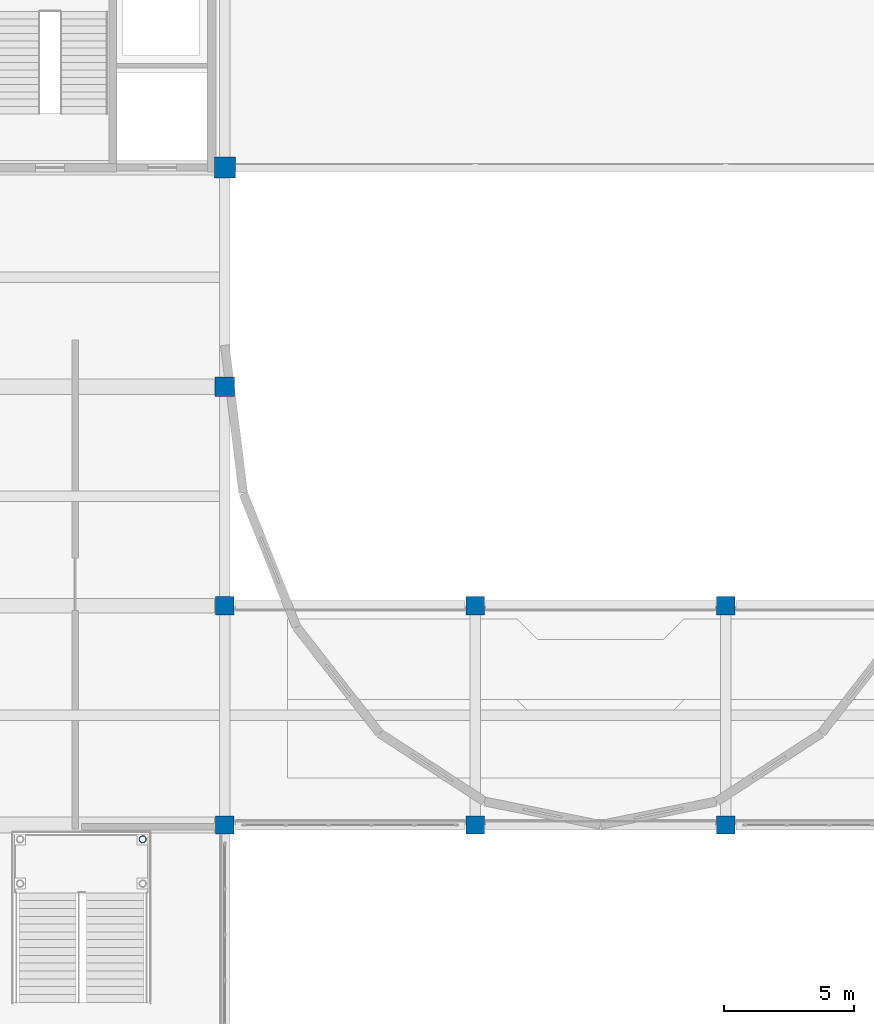
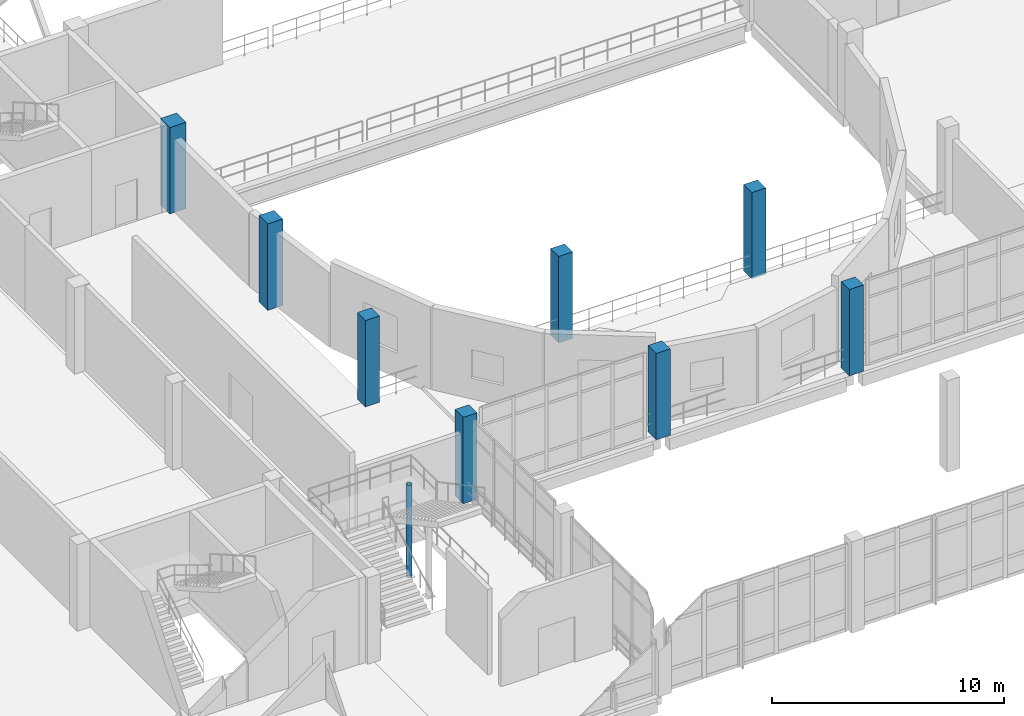
# One storey, part 7 of 102: 9 columns.
"""IFC4 building model written with IfcOpenShell, lengths in metres."""

from ifc_helpers import new_model, si_unit, direction, frame, origin, origin_2d, place, context, subcontext, project, spatial, rectangle, hollow_circle, extrude, material, material_profile, profile_set, type_object, element, save


model = new_model("IFC4")

# Units and contexts
model_context = context("Model", 3, precision=1e-05, world=origin(), true_north=direction((0.0, 1.0)))
body_context = subcontext(model_context, "Body", "Model", "MODEL_VIEW")
ifc_project = project(units=[si_unit("LENGTHUNIT", "METRE"), si_unit("AREAUNIT", "SQUARE_METRE"), si_unit("VOLUMEUNIT", "CUBIC_METRE"), si_unit("PLANEANGLEUNIT", "RADIAN"), si_unit("MASSUNIT", "GRAM", prefix="KILO")], contexts=[model_context])

# Site, building, storey
site_placement = place(None, origin())
site = spatial("IfcSite", under=ifc_project, at=site_placement, CompositionType="ELEMENT")
building_placement = place(site_placement, origin())
building = spatial("IfcBuilding", under=site, at=building_placement, Name="Lornevale Opera House", CompositionType="ELEMENT")
storey_placement = place(building_placement, frame((0.0, 0.0, 5.39990234375)))
storey = spatial("IfcBuildingStorey", under=building, at=storey_placement, Name="L02", CompositionType="ELEMENT", Elevation=5.39990234375)

# Columns
ifc_material_1 = material(Name="Concrete 40 MPa (CSA A23.1 C-1)", Category="concrete")
ifc_material_profile_1 = material_profile(ifc_material_1, rectangle(XDim=0.699951171875, YDim=0.699951171875, at=origin_2d()), Name="RC700x700")
ifc_profile_set_1 = profile_set([ifc_material_profile_1], Name="Concrete 40 MPa (CSA A23.1 C-1)")
column_type_1 = type_object("IfcColumnType", Name="Concrete Column 700x700", PredefinedType="COLUMN", material=ifc_profile_set_1)
for number, where, z_axis, x_axis, name in (
    (1, (67.199951171875, 33.60009765625, 0.0), (0.0, 0.0, 1.0), (1.0, 0.0, 0.0), "Concrete Column 700x700 0435"),
    (2, (67.199951171875, 42.0, 0.0), (0.0, 0.0, 1.0), (1.0, 0.0, 0.0), "Concrete Column 700x700 0441"),
    (3, (76.800048828125, 33.60009765625, 0.0), (0.0, 0.0, 1.0), (1.0, 0.0, 0.0), "Concrete Column 700x700 0514"),
    (4, (76.800048828125, 42.0, 0.0), (0.0, 0.0, 1.0), (1.0, 0.0, 0.0), "Concrete Column 700x700 0520"),
    (5, (86.39990234375, 33.60009765625, 0.0), (0.0, 0.0, 1.0), (1.0, 0.0, 0.0), "Concrete Column 700x700 0564"),
    (6, (86.39990234375, 42.0, 0.0), (0.0, 0.0, 1.0), (1.0, 0.0, 0.0), "Concrete Column 700x700 0570"),
):
    element("IfcColumn", number, at=place(storey_placement, frame(where, z_axis=z_axis, x_axis=x_axis)), inside=storey, type_object=column_type_1, Name=name, PredefinedType="COLUMN", context=body_context, shape_type="SweptSolid", body=[
        extrude(rectangle(XDim=0.699951171875, YDim=0.699951171875, at=origin_2d()), origin(), (0.0, 0.0, 1.0), 4.5400390625),
    ])
ifc_material_profile_2 = material_profile(ifc_material_1, rectangle(XDim=0.75, YDim=0.75, at=origin_2d()), Name="RC750x750")
ifc_profile_set_2 = profile_set([ifc_material_profile_2], Name="Concrete 40 MPa (CSA A23.1 C-1)")
column_type_2 = type_object("IfcColumnType", Name="Concrete Column 750x750", PredefinedType="COLUMN", material=ifc_profile_set_2)
column_1_placement = place(storey_placement, frame((67.199951171875, 50.39990234375, 0.0), z_axis=(0.0, 0.0, 1.0), x_axis=(1.0, 0.0, 0.0)))
element("IfcColumn", 7, at=column_1_placement, inside=storey, type_object=column_type_2, Name="Concrete Column 750x750 0447", PredefinedType="COLUMN", context=body_context, shape_type="SweptSolid", body=[
    extrude(rectangle(XDim=0.75, YDim=0.75, at=origin_2d()), origin(), (0.0, 0.0, 1.0), 4.5400390625),
])
ifc_material_profile_3 = material_profile(ifc_material_1, rectangle(XDim=0.800048828125, YDim=0.800048828125, at=origin_2d()), Name="RC800x800")
ifc_profile_set_3 = profile_set([ifc_material_profile_3], Name="Concrete 40 MPa (CSA A23.1 C-1)")
column_type_3 = type_object("IfcColumnType", Name="Concrete Column 800x800", PredefinedType="COLUMN", material=ifc_profile_set_3)
column_2_placement = place(storey_placement, frame((67.199951171875, 58.800048828125, 0.0), z_axis=(0.0, 0.0, 1.0), x_axis=(1.0, 0.0, 0.0)))
element("IfcColumn", 8, at=column_2_placement, inside=storey, type_object=column_type_3, Name="Concrete Column 800x800 0454", PredefinedType="COLUMN", context=body_context, shape_type="SweptSolid", body=[
    extrude(rectangle(XDim=0.800048828125, YDim=0.800048828125, at=origin_2d()), origin(), (0.0, 0.0, 1.0), 4.5400390625),
])
ifc_material_2 = material(Name="Structural Steel CSA G40.21 Grade 350W (350 MPa)", Category="steel")
ifc_material_profile_4 = material_profile(ifc_material_2, hollow_circle(Radius=0.136474609375, WallThickness=0.010986328125, at=origin_2d()), Name="HSS273x11")
ifc_profile_set_4 = profile_set([ifc_material_profile_4], Name="Structural Steel CSA G40.21 Grade 350W (350 MPa)")
column_type_4 = type_object("IfcColumnType", Name="Promenade Ramp Mast HSS273x11", PredefinedType="COLUMN", material=ifc_profile_set_4)
column_3_placement = place(storey_placement, frame((64.050048828125, 33.050048828125, -2.699951171875), z_axis=(0.0, 0.0, 1.0), x_axis=(1.0, 0.0, 0.0)))
element("IfcColumn", 9, at=column_3_placement, inside=storey, type_object=column_type_4, Name="Grand Stair Landing Post L02 1129", PredefinedType="COLUMN", context=body_context, shape_type="SweptSolid", body=[
    extrude(hollow_circle(Radius=0.136474609375, WallThickness=0.010986328125, at=origin_2d()), origin(), (0.0, 0.0, 1.0), 4.860107421875),
])

save(model, "model.ifc")
